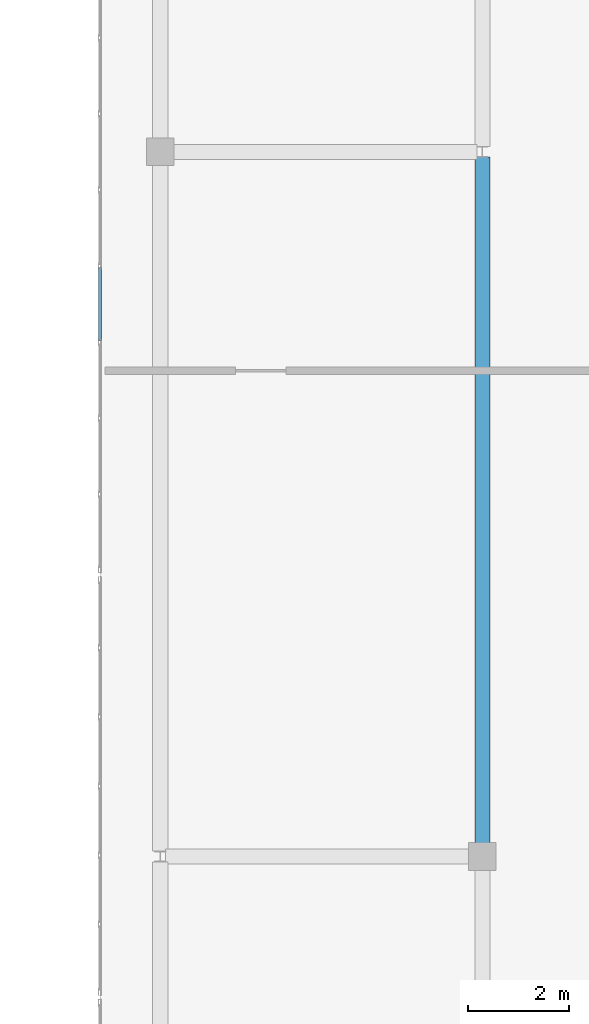
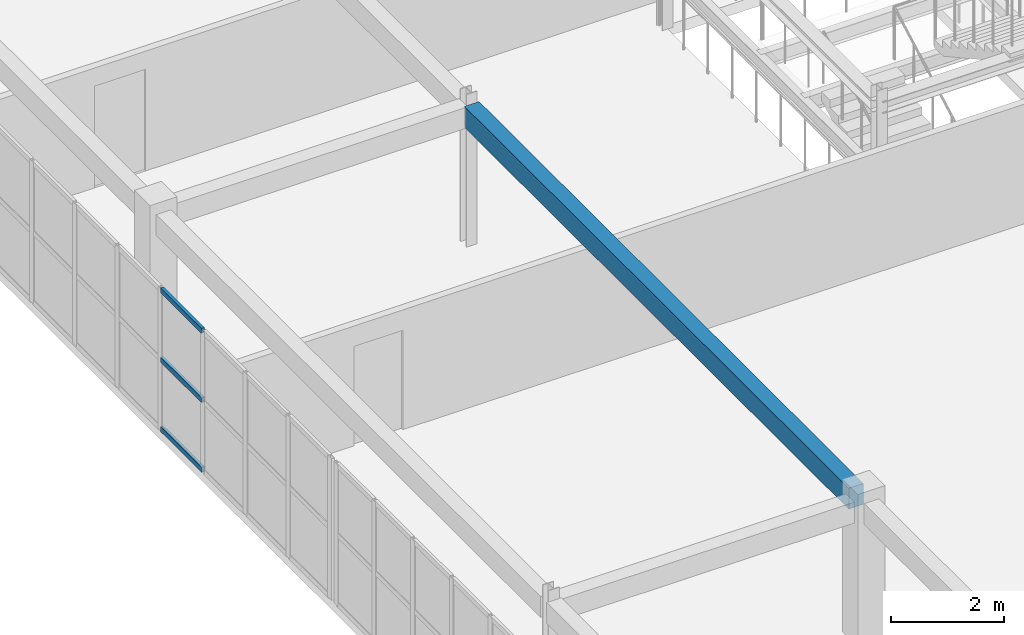
# One storey, part 21 of 148: 3 members, 1 beam, 1 element without a shape of its own.
"""IFC4 building model written with IfcOpenShell, lengths in metres."""

from ifc_helpers import new_model, si_unit, direction, frame, origin, origin_2d, place, context, subcontext, project, spatial, rectangle, hollow_rectangle, extrude, material, layer, layer_set, material_profile, profile_set, type_object, element, aggregate, save


model = new_model("IFC4")

# Units and contexts
model_context = context("Model", 3, precision=1e-05, world=origin(), true_north=direction((0.0, 1.0)))
body_context = subcontext(model_context, "Body", "Model", "MODEL_VIEW")
ifc_project = project(units=[si_unit("LENGTHUNIT", "METRE"), si_unit("AREAUNIT", "SQUARE_METRE"), si_unit("VOLUMEUNIT", "CUBIC_METRE"), si_unit("PLANEANGLEUNIT", "RADIAN"), si_unit("MASSUNIT", "GRAM", prefix="KILO")], contexts=[model_context])

# Site, building, storey
site_placement = place(None, origin())
site = spatial("IfcSite", under=ifc_project, at=site_placement, CompositionType="ELEMENT")
building_placement = place(site_placement, origin())
building = spatial("IfcBuilding", under=site, at=building_placement, Name="Trelvath General Hospital", CompositionType="ELEMENT")
storey_placement = place(building_placement, frame((0.0, 0.0, 12.89990234375)))
storey = spatial("IfcBuildingStorey", under=building, at=storey_placement, Name="L03", CompositionType="ELEMENT", Elevation=12.89990234375)

# Beam
ifc_material_1 = material(Name="Concrete C35/45", Category="concrete")
ifc_material_profile_1 = material_profile(ifc_material_1, rectangle(XDim=0.300048828125, YDim=0.449951171875, at=origin_2d()), Name="RCB300x450")
ifc_profile_set_1 = profile_set([ifc_material_profile_1], Name="Concrete C35/45")
beam_type = type_object("IfcBeamType", Name="Beam RC300x450", PredefinedType="BEAM", material=ifc_profile_set_1)
beam_placement = place(storey_placement, frame((60.800048828125, 45.071044921875, 2.835205078125), z_axis=(0.0, 1.0, 0.0), x_axis=(-1.0, 0.0, 0.0)))
element("IfcBeam", 1, at=beam_placement, inside=storey, type_object=beam_type, Name="Cube Interior Ring Beam CUBE-W-T1 L03", PredefinedType="BEAM", context=body_context, shape_type="SweptSolid", body=[
    extrude(rectangle(XDim=0.300048828125, YDim=0.449951171875, at=origin_2d()), origin(), (0.0, 0.0, 1.0), 13.623046875),
])

# Curtain wall, members
ifc_material_2 = material(Name="Anodised aluminium and low-E glass", Category="aluminium")
ifc_layer = layer(ifc_material_2, 0.14990234375)
ifc_layer_set = layer_set([ifc_layer], Name="Anodised aluminium and low-E glass")
curtain_wall_type = type_object("IfcCurtainWallType", Name="CW CrystalCube 1664 306 15", PredefinedType="USERDEFINED", material=ifc_layer_set)
curtain_wall_placement = place(storey_placement, origin())
curtain_wall = element("IfcCurtainWall", 2, at=curtain_wall_placement, inside=storey, type_object=curtain_wall_type, Name="Crystal Cube Curtain Wall CUBE-W-T1 W3 L03", ObjectType="Unitised Glazed Curtain Wall", PredefinedType="USERDEFINED")
ifc_material_3 = material(Name="Anodised aluminium", Category="aluminium")
ifc_material_profile_2 = material_profile(ifc_material_3, hollow_rectangle(XDim=0.06005859375, YDim=0.110107421875, WallThickness=0.00390625, at=origin_2d()), Name="RHS60x110x4")
ifc_profile_set_2 = profile_set([ifc_material_profile_2], Name="Anodised aluminium")
member_type = type_object("IfcMemberType", Name="CurtainTransom 60x110", PredefinedType="USERDEFINED", material=ifc_profile_set_2)
member_1_placement = place(storey_placement, frame((53.199951171875, 55.048095703125, 0.030029296875), z_axis=(0.0, 1.0, 0.0), x_axis=(-1.0, 0.0, 0.0)))
member_1 = element("IfcMember", 3, at=member_1_placement, type_object=member_type, Name="CW-239 transom 4.1", ObjectType="TRANSOM", PredefinedType="USERDEFINED", context=body_context, shape_type="SweptSolid", body=[
    extrude(hollow_rectangle(XDim=0.06005859375, YDim=0.110107421875, WallThickness=0.00390625, at=origin_2d()), origin(), (0.0, 0.0, 1.0), 1.452880859375),
])
member_2_placement = place(storey_placement, frame((53.199951171875, 55.048095703125, 1.530029296875), z_axis=(0.0, 1.0, 0.0), x_axis=(-1.0, 0.0, 0.0)))
member_2 = element("IfcMember", 4, at=member_2_placement, type_object=member_type, Name="CW-239 transom 4.2", ObjectType="TRANSOM", PredefinedType="USERDEFINED", context=body_context, shape_type="SweptSolid", body=[
    extrude(hollow_rectangle(XDim=0.06005859375, YDim=0.110107421875, WallThickness=0.00390625, at=origin_2d()), origin(), (0.0, 0.0, 1.0), 1.452880859375),
])
member_3_placement = place(storey_placement, frame((53.199951171875, 55.048095703125, 3.030029296875), z_axis=(0.0, 1.0, 0.0), x_axis=(-1.0, 0.0, 0.0)))
member_3 = element("IfcMember", 5, at=member_3_placement, type_object=member_type, Name="CW-239 transom 4.3", ObjectType="TRANSOM", PredefinedType="USERDEFINED", context=body_context, shape_type="SweptSolid", body=[
    extrude(hollow_rectangle(XDim=0.06005859375, YDim=0.110107421875, WallThickness=0.00390625, at=origin_2d()), origin(), (0.0, 0.0, 1.0), 1.452880859375),
])
aggregate(curtain_wall, [member_1, member_2, member_3])

save(model, "model.ifc")
